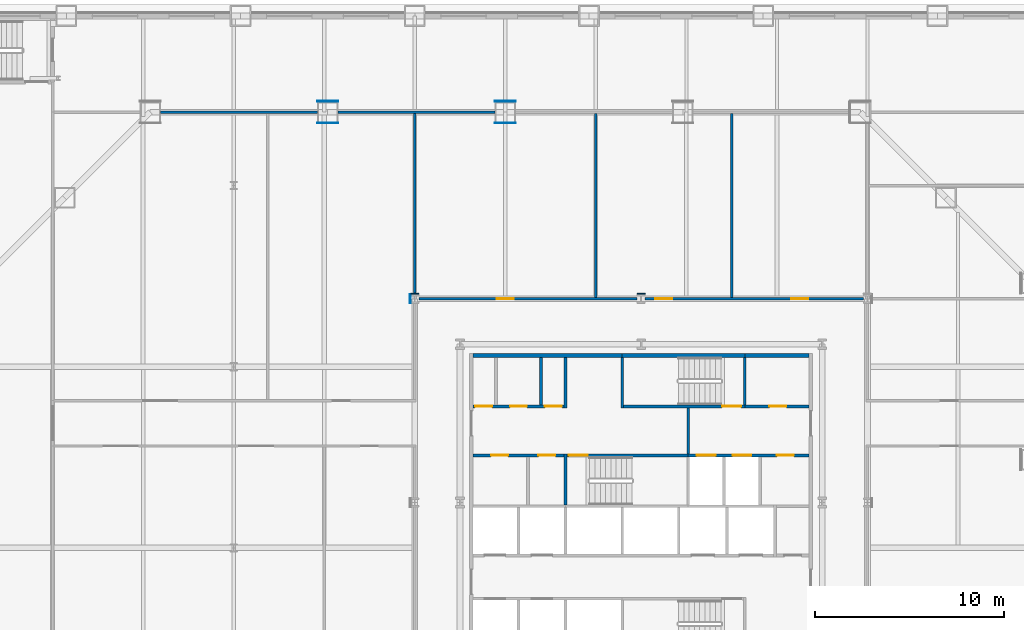
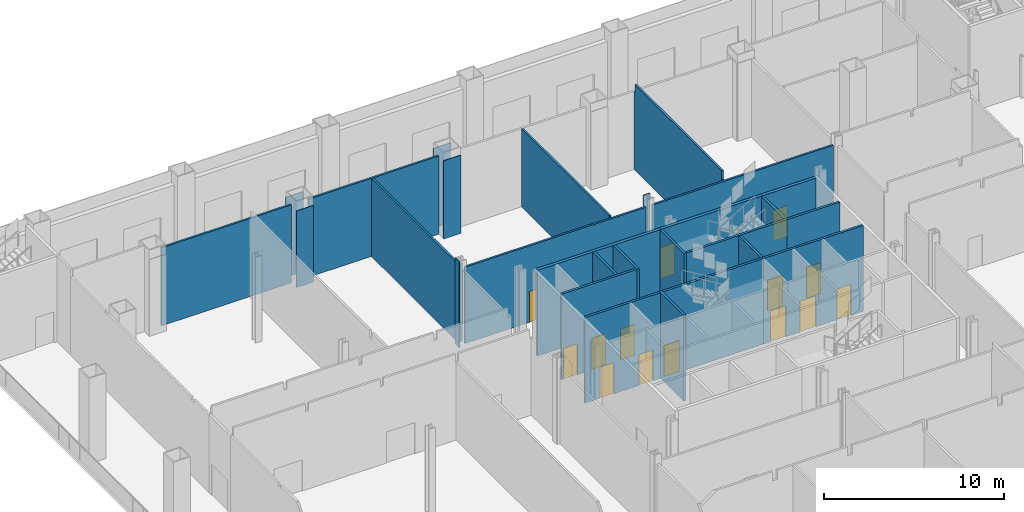
# One storey, part 19 of 31: 29 walls, 14 doors, 14 openings.
"""IFC4 building model written with IfcOpenShell, lengths in metres."""

from ifc_helpers import new_model, si_unit, direction, frame, frame_2d, origin, place, context, subcontext, project, spatial, polyline, rectangle, outline, extrude, material, layer, layer_set, type_object, element, fill, save


model = new_model("IFC4")

# Units and contexts
model_context = context("Model", 3, precision=1e-05, world=origin(), true_north=direction((0.0, 1.0)))
body_context = subcontext(model_context, "Body", "Model", "MODEL_VIEW")
ifc_project = project(units=[si_unit("LENGTHUNIT", "METRE"), si_unit("AREAUNIT", "SQUARE_METRE"), si_unit("VOLUMEUNIT", "CUBIC_METRE"), si_unit("PLANEANGLEUNIT", "RADIAN"), si_unit("MASSUNIT", "GRAM", prefix="KILO")], contexts=[model_context])

# Site, building, storey
site_placement = place(None, origin())
site = spatial("IfcSite", under=ifc_project, at=site_placement, CompositionType="ELEMENT")
building_placement = place(site_placement, origin())
building = spatial("IfcBuilding", under=site, at=building_placement, Name="Cairn Pilgrim Tower", CompositionType="ELEMENT")
storey_placement = place(building_placement, frame((0.0, 0.0, 15.0)))
storey = spatial("IfcBuildingStorey", under=building, at=storey_placement, Name="L02", CompositionType="ELEMENT", Elevation=15.0)

# Walls
ifc_material_1 = material(Name="Concrete C32/40", Category="concrete")
ifc_layer_1 = layer(ifc_material_1, 0.199951171875)
ifc_layer_set_1 = layer_set([ifc_layer_1], Name="CORE OUTER WALL 200 EI 120")
wall_type_1 = type_object("IfcWallType", Name="CORE OUTER WALL 200 EI 120", PredefinedType="SOLIDWALL", material=ifc_layer_set_1)
wall_1_placement = place(storey_placement, frame((-1.699951171875, 10.199951171875, 0.0), z_axis=(0.0, 0.0, 1.0), x_axis=(1.0, 0.0, 0.0)))
element("IfcWall", 1, at=wall_1_placement, inside=storey, type_object=wall_type_1, Name="CW:L02:H11-1", PredefinedType="SOLIDWALL", context=body_context, shape_type="SweptSolid", body=[
    extrude(rectangle(XDim=7.89990234375, YDim=0.199951171875, at=frame_2d((3.949951171875, 0.0))), origin(), (0.0, 0.0, 1.0), 5.800048828125),
])
wall_2_placement = place(storey_placement, frame((12.699951171875, 10.199951171875, 0.0), z_axis=(0.0, 0.0, 1.0), x_axis=(1.0, 0.0, 0.0)))
element("IfcWall", 2, at=wall_2_placement, inside=storey, type_object=wall_type_1, Name="CW:L02:H11-3", PredefinedType="SOLIDWALL", context=body_context, shape_type="SweptSolid", body=[
    extrude(rectangle(XDim=3.400146484375, YDim=0.199951171875, at=frame_2d((1.7001953125, 0.0))), origin(), (0.0, 0.0, 1.0), 5.800048828125),
])

# Wall, openings, doors
ifc_layer_2 = layer(ifc_material_1, 0.14990234375)
ifc_layer_set_2 = layer_set([ifc_layer_2], Name="CORE PARTITION 150 EI 60")
wall_type_2 = type_object("IfcWallType", Name="CORE PARTITION 150 EI 60", PredefinedType="PARTITIONING", material=ifc_layer_set_2)
wall_3_placement = place(storey_placement, frame((-1.699951171875, 4.89990234375, 0.0), z_axis=(0.0, 0.0, 1.0), x_axis=(1.0, 0.0, 0.0)))
wall_3 = element("IfcWall", 3, at=wall_3_placement, inside=storey, type_object=wall_type_2, Name="CW:L02:H07", PredefinedType="PARTITIONING", context=body_context, shape_type="SweptSolid", body=[
    extrude(rectangle(XDim=4.824951171875, YDim=0.14990234375, at=frame_2d((2.41259765625, 0.0))), origin(), (0.0, 0.0, 1.0), 5.800048828125),
])
opening_1_placement = place(wall_3_placement, frame((0.949951171875, 0.0, 0.0)))
opening_1 = element("IfcOpeningElement", 4, at=opening_1_placement, cuts=wall_3, Name="Opening RD-R3W1", PredefinedType="OPENING", context=body_context, shape_type="SweptSolid", body=[
    extrude(rectangle(XDim=0.89990234375, YDim=2.10009765625, at=frame_2d((0.449951171875, 1.050048828125))), frame((0.0, 0.0849609375, 0.0), z_axis=(0.0, -1.0, 0.0), x_axis=(1.0, 0.0, 0.0)), (0.0, 0.0, 1.0), 0.169921875),
])
opening_2_placement = place(wall_3_placement, frame((3.449951171875, 0.0, 0.0)))
opening_2 = element("IfcOpeningElement", 5, at=opening_2_placement, cuts=wall_3, Name="Opening RD-R3W2", PredefinedType="OPENING", context=body_context, shape_type="SweptSolid", body=[
    extrude(rectangle(XDim=0.89990234375, YDim=2.10009765625, at=frame_2d((0.449951171875, 1.050048828125))), frame((0.0, 0.0849609375, 0.0), z_axis=(0.0, -1.0, 0.0), x_axis=(1.0, 0.0, 0.0)), (0.0, 0.0, 1.0), 0.169921875),
])
ifc_material_2 = material(Name="Painted steel", Category="steel")
door_type_1 = type_object("IfcDoorType", Name="SERVICE ROOM DOOR 900x2100", OperationType="SINGLE_SWING_LEFT", PredefinedType="DOOR", material=ifc_material_2)
door_1_placement = place(opening_1_placement, origin())
door_1 = element("IfcDoor", 6, at=door_1_placement, inside=storey, type_object=door_type_1, Name="RD-R3W1", OperationType="SINGLE_SWING_RIGHT", OverallHeight=2.10009765625, OverallWidth=0.89990234375, PredefinedType="DOOR", context=body_context, shape_type="SweptSolid", body=[
    extrude(rectangle(XDim=0.89990234375, YDim=2.10009765625, at=frame_2d((0.449951171875, 1.050048828125))), frame((0.0, 0.02490234375, 0.0), z_axis=(0.0, -1.0, 0.0), x_axis=(1.0, 0.0, 0.0)), (0.0, 0.0, 1.0), 0.050048828125),
])
fill(opening_1, door_1)
door_2_placement = place(opening_2_placement, origin())
door_2 = element("IfcDoor", 7, at=door_2_placement, inside=storey, type_object=door_type_1, Name="RD-R3W2", OperationType="SINGLE_SWING_LEFT", OverallHeight=2.10009765625, OverallWidth=0.89990234375, PredefinedType="DOOR", context=body_context, shape_type="SweptSolid", body=[
    extrude(rectangle(XDim=0.89990234375, YDim=2.10009765625, at=frame_2d((0.449951171875, 1.050048828125))), frame((0.0, 0.02490234375, 0.0), z_axis=(0.0, -1.0, 0.0), x_axis=(1.0, 0.0, 0.0)), (0.0, 0.0, 1.0), 0.050048828125),
])
fill(opening_2, door_2)

wall_4_placement = place(storey_placement, frame((-1.699951171875, 7.5, 0.0), z_axis=(0.0, 0.0, 1.0), x_axis=(1.0, 0.0, 0.0)))
wall_4 = element("IfcWall", 8, at=wall_4_placement, inside=storey, type_object=wall_type_2, Name="CW:L02:H09", PredefinedType="PARTITIONING", context=body_context, shape_type="SweptSolid", body=[
    extrude(rectangle(XDim=4.824951171875, YDim=0.14990234375, at=frame_2d((2.41259765625, 0.0))), origin(), (0.0, 0.0, 1.0), 5.800048828125),
])
opening_3_placement = place(wall_4_placement, frame((0.10009765625, 0.0, 0.0)))
opening_3 = element("IfcOpeningElement", 9, at=opening_3_placement, cuts=wall_4, Name="Opening RD-R4W1", PredefinedType="OPENING", context=body_context, shape_type="SweptSolid", body=[
    extrude(rectangle(XDim=0.89990234375, YDim=2.10009765625, at=frame_2d((0.449951171875, 1.050048828125))), frame((0.0, 0.0849609375, 0.0), z_axis=(0.0, -1.0, 0.0), x_axis=(1.0, 0.0, 0.0)), (0.0, 0.0, 1.0), 0.169921875),
])
opening_4_placement = place(wall_4_placement, frame((1.949951171875, 0.0, 0.0)))
opening_4 = element("IfcOpeningElement", 10, at=opening_4_placement, cuts=wall_4, Name="Opening RD-R4W2", PredefinedType="OPENING", context=body_context, shape_type="SweptSolid", body=[
    extrude(rectangle(XDim=0.89990234375, YDim=2.10009765625, at=frame_2d((0.449951171875, 1.050048828125))), frame((0.0, 0.0849609375, 0.0), z_axis=(0.0, -1.0, 0.0), x_axis=(1.0, 0.0, 0.0)), (0.0, 0.0, 1.0), 0.169921875),
])
opening_5_placement = place(wall_4_placement, frame((3.800048828125, 0.0, 0.0)))
opening_5 = element("IfcOpeningElement", 11, at=opening_5_placement, cuts=wall_4, Name="Opening RD-R4W3", PredefinedType="OPENING", context=body_context, shape_type="SweptSolid", body=[
    extrude(rectangle(XDim=0.89990234375, YDim=2.10009765625, at=frame_2d((0.449951171875, 1.050048828125))), frame((0.0, 0.0849609375, 0.0), z_axis=(0.0, -1.0, 0.0), x_axis=(1.0, 0.0, 0.0)), (0.0, 0.0, 1.0), 0.169921875),
])
door_3_placement = place(opening_3_placement, origin())
door_3 = element("IfcDoor", 12, at=door_3_placement, inside=storey, type_object=door_type_1, Name="RD-R4W1", OperationType="SINGLE_SWING_RIGHT", OverallHeight=2.10009765625, OverallWidth=0.89990234375, PredefinedType="DOOR", context=body_context, shape_type="SweptSolid", body=[
    extrude(rectangle(XDim=0.89990234375, YDim=2.10009765625, at=frame_2d((0.449951171875, 1.050048828125))), frame((0.0, 0.02490234375, 0.0), z_axis=(0.0, -1.0, 0.0), x_axis=(1.0, 0.0, 0.0)), (0.0, 0.0, 1.0), 0.050048828125),
])
fill(opening_3, door_3)
door_4_placement = place(opening_4_placement, origin())
door_4 = element("IfcDoor", 13, at=door_4_placement, inside=storey, type_object=door_type_1, Name="RD-R4W2", OperationType="SINGLE_SWING_LEFT", OverallHeight=2.10009765625, OverallWidth=0.89990234375, PredefinedType="DOOR", context=body_context, shape_type="SweptSolid", body=[
    extrude(rectangle(XDim=0.89990234375, YDim=2.10009765625, at=frame_2d((0.449951171875, 1.050048828125))), frame((0.0, 0.02490234375, 0.0), z_axis=(0.0, -1.0, 0.0), x_axis=(1.0, 0.0, 0.0)), (0.0, 0.0, 1.0), 0.050048828125),
])
fill(opening_4, door_4)
door_5_placement = place(opening_5_placement, origin())
door_5 = element("IfcDoor", 14, at=door_5_placement, inside=storey, type_object=door_type_1, Name="RD-R4W3", OperationType="SINGLE_SWING_RIGHT", OverallHeight=2.10009765625, OverallWidth=0.89990234375, PredefinedType="DOOR", context=body_context, shape_type="SweptSolid", body=[
    extrude(rectangle(XDim=0.89990234375, YDim=2.10009765625, at=frame_2d((0.449951171875, 1.050048828125))), frame((0.0, 0.02490234375, 0.0), z_axis=(0.0, -1.0, 0.0), x_axis=(1.0, 0.0, 0.0)), (0.0, 0.0, 1.0), 0.050048828125),
])
fill(opening_5, door_5)

# Walls
wall_5_placement = place(storey_placement, frame((1.89990234375, 7.574951171875, 0.0), z_axis=(0.0, 0.0, 1.0), x_axis=(0.0, 1.0, 0.0)))
element("IfcWall", 15, at=wall_5_placement, inside=storey, type_object=wall_type_2, Name="CW:L02:V17", PredefinedType="PARTITIONING", context=body_context, shape_type="SweptSolid", body=[
    extrude(rectangle(XDim=2.525146484375, YDim=0.14990234375, at=frame_2d((1.2626953125, 0.0))), origin(), (0.0, 0.0, 1.0), 5.800048828125),
])
wall_6_placement = place(storey_placement, frame((3.199951171875, 7.425048828125, 0.0), z_axis=(0.0, 0.0, 1.0), x_axis=(0.0, 1.0, 0.0)))
element("IfcWall", 16, at=wall_6_placement, inside=storey, type_object=wall_type_2, Name="CW:L02:V21", PredefinedType="PARTITIONING", context=body_context, shape_type="SweptSolid", body=[
    extrude(rectangle(XDim=2.675048828125, YDim=0.14990234375, at=frame_2d((1.33740234375, 0.0))), origin(), (0.0, 0.0, 1.0), 5.800048828125),
])

# Wall, openings, doors
ifc_layer_3 = layer(ifc_material_1, 0.14990234375)
ifc_layer_set_3 = layer_set([ifc_layer_3], Name="CORE SHAFT WALL 150 EI 120")
wall_type_3 = type_object("IfcWallType", Name="CORE SHAFT WALL 150 EI 120", PredefinedType="SOLIDWALL", material=ifc_layer_set_3)
wall_7_placement = place(storey_placement, frame((9.699951171875, 4.89990234375, 0.0), z_axis=(0.0, 0.0, 1.0), x_axis=(1.0, 0.0, 0.0)))
wall_7 = element("IfcWall", 17, at=wall_7_placement, inside=storey, type_object=wall_type_3, Name="CW:L02:H08-2", PredefinedType="SOLIDWALL", context=body_context, shape_type="SweptSolid", body=[
    extrude(rectangle(XDim=6.400146484375, YDim=0.14990234375, at=frame_2d((3.2001953125, 0.0))), origin(), (0.0, 0.0, 1.0), 5.800048828125),
])
opening_6_placement = place(wall_7_placement, frame((0.449951171875, 0.0, 0.0)))
opening_6 = element("IfcOpeningElement", 18, at=opening_6_placement, cuts=wall_7, Name="Opening LD-FF1", PredefinedType="OPENING", context=body_context, shape_type="SweptSolid", body=[
    extrude(rectangle(XDim=1.0, YDim=2.10009765625, at=frame_2d((0.5, 1.050048828125))), frame((0.0, 0.0849609375, 0.0), z_axis=(0.0, -1.0, 0.0), x_axis=(1.0, 0.0, 0.0)), (0.0, 0.0, 1.0), 0.169921875),
])
opening_7_placement = place(wall_7_placement, frame((2.35009765625, 0.0, 0.0)))
opening_7 = element("IfcOpeningElement", 19, at=opening_7_placement, cuts=wall_7, Name="Opening LD-FF2", PredefinedType="OPENING", context=body_context, shape_type="SweptSolid", body=[
    extrude(rectangle(XDim=1.0, YDim=2.10009765625, at=frame_2d((0.5, 1.050048828125))), frame((0.0, 0.0849609375, 0.0), z_axis=(0.0, -1.0, 0.0), x_axis=(1.0, 0.0, 0.0)), (0.0, 0.0, 1.0), 0.169921875),
])
opening_8_placement = place(wall_7_placement, frame((4.699951171875, 0.0, 0.0)))
opening_8 = element("IfcOpeningElement", 20, at=opening_8_placement, cuts=wall_7, Name="Opening RD-R3E", PredefinedType="OPENING", context=body_context, shape_type="SweptSolid", body=[
    extrude(rectangle(XDim=0.89990234375, YDim=2.10009765625, at=frame_2d((0.449951171875, 1.050048828125))), frame((0.0, 0.0849609375, 0.0), z_axis=(0.0, -1.0, 0.0), x_axis=(1.0, 0.0, 0.0)), (0.0, 0.0, 1.0), 0.169921875),
])
ifc_material_3 = material(Name="Stainless steel", Category="steel")
door_type_2 = type_object("IfcDoorType", Name="LIFT LANDING DOOR FIRE 1000x2100", OperationType="DOUBLE_DOOR_SLIDING", PredefinedType="DOOR", material=ifc_material_3)
door_6_placement = place(opening_6_placement, origin())
door_6 = element("IfcDoor", 21, at=door_6_placement, inside=storey, type_object=door_type_2, Name="LANDING DOOR FF1", OperationType="DOUBLE_DOOR_SLIDING", OverallHeight=2.10009765625, OverallWidth=1.0, PredefinedType="DOOR", context=body_context, shape_type="SweptSolid", body=[
    extrude(rectangle(XDim=1.0, YDim=2.10009765625, at=frame_2d((0.5, 1.050048828125))), frame((0.0, 0.02490234375, 0.0), z_axis=(0.0, -1.0, 0.0), x_axis=(1.0, 0.0, 0.0)), (0.0, 0.0, 1.0), 0.050048828125),
])
fill(opening_6, door_6)
door_7_placement = place(opening_7_placement, origin())
door_7 = element("IfcDoor", 22, at=door_7_placement, inside=storey, type_object=door_type_2, Name="LANDING DOOR FF2", OperationType="DOUBLE_DOOR_SLIDING", OverallHeight=2.10009765625, OverallWidth=1.0, PredefinedType="DOOR", context=body_context, shape_type="SweptSolid", body=[
    extrude(rectangle(XDim=1.0, YDim=2.10009765625, at=frame_2d((0.5, 1.050048828125))), frame((0.0, 0.02490234375, 0.0), z_axis=(0.0, -1.0, 0.0), x_axis=(1.0, 0.0, 0.0)), (0.0, 0.0, 1.0), 0.050048828125),
])
fill(opening_7, door_7)
door_8_placement = place(opening_8_placement, origin())
door_8 = element("IfcDoor", 23, at=door_8_placement, inside=storey, type_object=door_type_1, Name="RD-R3E", OperationType="SINGLE_SWING_RIGHT", OverallHeight=2.10009765625, OverallWidth=0.89990234375, PredefinedType="DOOR", context=body_context, shape_type="SweptSolid", body=[
    extrude(rectangle(XDim=0.89990234375, YDim=2.10009765625, at=frame_2d((0.449951171875, 1.050048828125))), frame((0.0, 0.02490234375, 0.0), z_axis=(0.0, -1.0, 0.0), x_axis=(1.0, 0.0, 0.0)), (0.0, 0.0, 1.0), 0.050048828125),
])
fill(opening_8, door_8)

# Wall, opening, door
wall_8_placement = place(storey_placement, frame((12.699951171875, 7.5, 0.0), z_axis=(0.0, 0.0, 1.0), x_axis=(1.0, 0.0, 0.0)))
wall_8 = element("IfcWall", 24, at=wall_8_placement, inside=storey, type_object=wall_type_3, Name="CW:L02:H10-2", PredefinedType="SOLIDWALL", context=body_context, shape_type="SweptSolid", body=[
    extrude(rectangle(XDim=3.400146484375, YDim=0.14990234375, at=frame_2d((1.7001953125, 0.0))), origin(), (0.0, 0.0, 1.0), 5.800048828125),
])
opening_9_placement = place(wall_8_placement, frame((1.300048828125, 0.0, 0.0)))
opening_9 = element("IfcOpeningElement", 25, at=opening_9_placement, cuts=wall_8, Name="Opening RD-R4E", PredefinedType="OPENING", context=body_context, shape_type="SweptSolid", body=[
    extrude(rectangle(XDim=0.89990234375, YDim=2.10009765625, at=frame_2d((0.449951171875, 1.050048828125))), frame((0.0, 0.0849609375, 0.0), z_axis=(0.0, -1.0, 0.0), x_axis=(1.0, 0.0, 0.0)), (0.0, 0.0, 1.0), 0.169921875),
])
door_9_placement = place(opening_9_placement, origin())
door_9 = element("IfcDoor", 26, at=door_9_placement, inside=storey, type_object=door_type_1, Name="RD-R4E", OperationType="SINGLE_SWING_LEFT", OverallHeight=2.10009765625, OverallWidth=0.89990234375, PredefinedType="DOOR", context=body_context, shape_type="SweptSolid", body=[
    extrude(rectangle(XDim=0.89990234375, YDim=2.10009765625, at=frame_2d((0.449951171875, 1.050048828125))), frame((0.0, 0.02490234375, 0.0), z_axis=(0.0, -1.0, 0.0), x_axis=(1.0, 0.0, 0.0)), (0.0, 0.0, 1.0), 0.050048828125),
])
fill(opening_9, door_9)

# Wall
wall_9_placement = place(storey_placement, frame((9.699951171875, 4.97509765625, 0.0), z_axis=(0.0, 0.0, 1.0), x_axis=(0.0, 1.0, 0.0)))
element("IfcWall", 27, at=wall_9_placement, inside=storey, type_object=wall_type_3, Name="CW:L02:V27", PredefinedType="SOLIDWALL", context=body_context, shape_type="SweptSolid", body=[
    extrude(rectangle(XDim=2.449951171875, YDim=0.14990234375, at=frame_2d((1.22509765625, 0.0))), origin(), (0.0, 0.0, 1.0), 5.800048828125),
])

# Wall, opening, door
ifc_material_4 = material(Name="Gypsum partition")
ifc_layer_4 = layer(ifc_material_4, 0.125)
ifc_layer_set_4 = layer_set([ifc_layer_4], Name="PARTITION 125 DRYWALL EI 60")
wall_type_4 = type_object("IfcWallType", Name="PARTITION 125 DRYWALL EI 60", PredefinedType="PARTITIONING", material=ifc_layer_set_4)
wall_10_placement = place(storey_placement, frame((-4.587890625, 13.199951171875, 0.0), z_axis=(0.0, 0.0, 1.0), x_axis=(1.0, 0.0, 0.0)))
wall_10 = element("IfcWall", 28, at=wall_10_placement, inside=storey, type_object=wall_type_4, Name="PARTITION W053", PredefinedType="PARTITIONING", context=body_context, shape_type="SweptSolid", body=[
    extrude(rectangle(XDim=11.575927734375, YDim=0.125, at=frame_2d((5.7880859375, 0.0))), origin(), (0.0, 0.0, 1.0), 5.179931640625),
])
opening_10_placement = place(wall_10_placement, frame((4.137939453125, 0.0, 0.0)))
opening_10 = element("IfcOpeningElement", 29, at=opening_10_placement, cuts=wall_10, Name="Opening 0206", PredefinedType="OPENING", context=body_context, shape_type="SweptSolid", body=[
    extrude(rectangle(XDim=0.89990234375, YDim=2.10009765625, at=frame_2d((0.449951171875, 1.050048828125))), frame((0.0, 0.072509765625, 0.0), z_axis=(0.0, -1.0, 0.0), x_axis=(1.0, 0.0, 0.0)), (0.0, 0.0, 1.0), 0.14501953125),
])
ifc_material_5 = material(Name="Timber door leaf", Category="wood")
door_type_3 = type_object("IfcDoorType", Name="ROOM DOOR 900x2100 FD30S", OperationType="NOTDEFINED", PredefinedType="DOOR", material=ifc_material_5)
door_10_placement = place(opening_10_placement, frame((0.89990234375, 0.0, 0.0), z_axis=(0.0, 0.0, 1.0), x_axis=(-1.0, 0.0, 0.0)))
door_10 = element("IfcDoor", 30, at=door_10_placement, inside=storey, type_object=door_type_3, Name="DOOR 0206", OperationType="SINGLE_SWING_RIGHT", OverallHeight=2.10009765625, OverallWidth=0.89990234375, PredefinedType="DOOR", context=body_context, shape_type="SweptSolid", body=[
    extrude(rectangle(XDim=0.89990234375, YDim=2.10009765625, at=frame_2d((0.449951171875, 1.050048828125))), frame((0.0, 0.02490234375, 0.0), z_axis=(0.0, -1.0, 0.0), x_axis=(1.0, 0.0, 0.0)), (0.0, 0.0, 1.0), 0.050048828125),
])
fill(opening_10, door_10)

# Wall, openings, doors
wall_11_placement = place(storey_placement, frame((7.412109375, 13.199951171875, 0.0), z_axis=(0.0, 0.0, 1.0), x_axis=(1.0, 0.0, 0.0)))
wall_11 = element("IfcWall", 31, at=wall_11_placement, inside=storey, type_object=wall_type_4, Name="PARTITION W054", PredefinedType="PARTITIONING", context=body_context, shape_type="SweptSolid", body=[
    extrude(rectangle(XDim=11.575927734375, YDim=0.125, at=frame_2d((5.7880859375, 0.0))), origin(), (0.0, 0.0, 1.0), 5.179931640625),
])
opening_11_placement = place(wall_11_placement, frame((0.5380859375, 0.0, 0.0)))
opening_11 = element("IfcOpeningElement", 32, at=opening_11_placement, cuts=wall_11, Name="Opening 0207", PredefinedType="OPENING", context=body_context, shape_type="SweptSolid", body=[
    extrude(rectangle(XDim=0.89990234375, YDim=2.10009765625, at=frame_2d((0.449951171875, 1.050048828125))), frame((0.0, 0.072509765625, 0.0), z_axis=(0.0, -1.0, 0.0), x_axis=(1.0, 0.0, 0.0)), (0.0, 0.0, 1.0), 0.14501953125),
])
opening_12_placement = place(wall_11_placement, frame((7.738037109375, 0.0, 0.0)))
opening_12 = element("IfcOpeningElement", 33, at=opening_12_placement, cuts=wall_11, Name="Opening 0208", PredefinedType="OPENING", context=body_context, shape_type="SweptSolid", body=[
    extrude(rectangle(XDim=0.89990234375, YDim=2.10009765625, at=frame_2d((0.449951171875, 1.050048828125))), frame((0.0, 0.072509765625, 0.0), z_axis=(0.0, -1.0, 0.0), x_axis=(1.0, 0.0, 0.0)), (0.0, 0.0, 1.0), 0.14501953125),
])
door_11_placement = place(opening_11_placement, frame((0.89990234375, 0.0, 0.0), z_axis=(0.0, 0.0, 1.0), x_axis=(-1.0, 0.0, 0.0)))
door_11 = element("IfcDoor", 34, at=door_11_placement, inside=storey, type_object=door_type_3, Name="DOOR 0207", OperationType="SINGLE_SWING_LEFT", OverallHeight=2.10009765625, OverallWidth=0.89990234375, PredefinedType="DOOR", context=body_context, shape_type="SweptSolid", body=[
    extrude(rectangle(XDim=0.89990234375, YDim=2.10009765625, at=frame_2d((0.449951171875, 1.050048828125))), frame((0.0, 0.02490234375, 0.0), z_axis=(0.0, -1.0, 0.0), x_axis=(1.0, 0.0, 0.0)), (0.0, 0.0, 1.0), 0.050048828125),
])
fill(opening_11, door_11)
door_12_placement = place(opening_12_placement, frame((0.89990234375, 0.0, 0.0), z_axis=(0.0, 0.0, 1.0), x_axis=(-1.0, 0.0, 0.0)))
door_12 = element("IfcDoor", 35, at=door_12_placement, inside=storey, type_object=door_type_3, Name="DOOR 0208", OperationType="SINGLE_SWING_LEFT", OverallHeight=2.10009765625, OverallWidth=0.89990234375, PredefinedType="DOOR", context=body_context, shape_type="SweptSolid", body=[
    extrude(rectangle(XDim=0.89990234375, YDim=2.10009765625, at=frame_2d((0.449951171875, 1.050048828125))), frame((0.0, 0.02490234375, 0.0), z_axis=(0.0, -1.0, 0.0), x_axis=(1.0, 0.0, 0.0)), (0.0, 0.0, 1.0), 0.050048828125),
])
fill(opening_12, door_12)

# Walls
wall_12_placement = place(storey_placement, frame((4.800048828125, 13.262451171875, 0.0), z_axis=(0.0, 0.0, 1.0), x_axis=(0.0, 1.0, 0.0)))
element("IfcWall", 36, at=wall_12_placement, inside=storey, type_object=wall_type_4, Name="PARTITION W056", PredefinedType="PARTITIONING", context=body_context, shape_type="SweptSolid", body=[
    extrude(outline(polyline([(0.0, 0.0), (9.775146484375, 0.0), (9.77490234375, 5.280029296875), (0.08740234375, 5.280029296875), (0.08544921875, 5.179931640625), (0.0, 5.179931640625), (0.0, 0.0)])), frame((0.0, 0.0625, 0.0), z_axis=(0.0, -1.0, 0.0), x_axis=(1.0, 0.0, 0.0)), (0.0, 0.0, 1.0), 0.125),
])
wall_13_placement = place(storey_placement, frame((12.0, 13.262451171875, 0.0), z_axis=(0.0, 0.0, 1.0), x_axis=(0.0, 1.0, 0.0)))
element("IfcWall", 37, at=wall_13_placement, inside=storey, type_object=wall_type_4, Name="PARTITION W057", PredefinedType="PARTITIONING", context=body_context, shape_type="SweptSolid", body=[
    extrude(outline(polyline([(0.0, 0.0), (9.775146484375, 0.0), (9.77490234375, 5.280029296875), (9.6875, 5.280029296875), (9.685546875, 5.800048828125), (0.08740234375, 5.800048828125), (0.08544921875, 5.179931640625), (0.0, 5.179931640625), (0.0, 0.0)])), frame((0.0, 0.0625, 0.0), z_axis=(0.0, -1.0, 0.0), x_axis=(1.0, 0.0, 0.0)), (0.0, 0.0, 1.0), 0.125),
])
wall_14_placement = place(storey_placement, frame((-4.800048828125, 13.43701171875, 0.0), z_axis=(0.0, 0.0, 1.0), x_axis=(0.0, 1.0, 0.0)))
element("IfcWall", 38, at=wall_14_placement, inside=storey, type_object=wall_type_4, Name="PARTITION W058", PredefinedType="PARTITIONING", context=body_context, shape_type="SweptSolid", body=[
    extrude(rectangle(XDim=9.6005859375, YDim=0.125, at=frame_2d((4.80029296875, 0.0))), origin(), (0.0, 0.0, 1.0), 5.280029296875),
])
for number, where, z_axis, x_axis, name in (
    (39, (-18.277099609375, 23.10009765625, 0.0), (0.0, 0.0, 1.0), (1.0, 0.0, 0.0), "PARTITION W067"),
    (40, (-8.863525390625, 23.10009765625, 0.0), (0.0, 0.0, 1.0), (1.0, 0.0, 0.0), "PARTITION W068"),
):
    element("IfcWall", number, at=place(storey_placement, frame(where, z_axis=z_axis, x_axis=x_axis)), inside=storey, type_object=wall_type_4, Name=name, PredefinedType="PARTITIONING", context=body_context, shape_type="SweptSolid", body=[
        extrude(rectangle(XDim=8.3134765625, YDim=0.125, at=frame_2d((4.15673828125, 0.0))), origin(), (0.0, 0.0, 1.0), 5.280029296875),
    ])
ifc_layer_5 = layer(ifc_material_4, 0.050048828125)
ifc_layer_set_5 = layer_set([ifc_layer_5], Name="PARTITION 50 DRYWALL EI 60")
wall_type_5 = type_object("IfcWallType", Name="PARTITION 50 DRYWALL EI 60", PredefinedType="PARTITIONING", material=ifc_layer_set_5)
wall_15_placement = place(storey_placement, frame((-5.037109375, 12.962890625, 0.0), z_axis=(0.0, 0.0, 1.0), x_axis=(0.0, 1.0, 0.0)))
element("IfcWall", 41, at=wall_15_placement, inside=storey, type_object=wall_type_5, Name="COLUMN CASING WC28", PredefinedType="PARTITIONING", context=body_context, shape_type="SweptSolid", body=[
    extrude(rectangle(XDim=0.47412109375, YDim=0.050048828125, at=frame_2d((0.237060546875, 0.0))), origin(), (0.0, 0.0, 1.0), 5.800048828125),
])
wall_16_placement = place(storey_placement, frame((-5.011962890625, 13.4619140625, 0.0), z_axis=(0.0, 0.0, 1.0), x_axis=(1.0, 0.0, 0.0)))
element("IfcWall", 42, at=wall_16_placement, inside=storey, type_object=wall_type_5, Name="COLUMN CASING WC32", PredefinedType="PARTITIONING", context=body_context, shape_type="SweptSolid", body=[
    extrude(rectangle(XDim=0.424072265625, YDim=0.050048828125, at=frame_2d((0.2119140625, 0.0))), origin(), (0.0, 0.0, 1.0), 5.280029296875),
])
wall_17_placement = place(storey_placement, frame((6.988037109375, 13.4619140625, 0.0), z_axis=(0.0, 0.0, 1.0), x_axis=(1.0, 0.0, 0.0)))
element("IfcWall", 43, at=wall_17_placement, inside=storey, type_object=wall_type_5, Name="COLUMN CASING WC33", PredefinedType="PARTITIONING", context=body_context, shape_type="SweptSolid", body=[
    extrude(rectangle(XDim=0.424072265625, YDim=0.050048828125, at=frame_2d((0.2119140625, 0.0))), origin(), (0.0, 0.0, 1.0), 5.800048828125),
])
wall_18_placement = place(storey_placement, frame((-9.963623046875, 22.52490234375, 0.0), z_axis=(0.0, 0.0, 1.0), x_axis=(1.0, 0.0, 0.0)))
element("IfcWall", 44, at=wall_18_placement, inside=storey, type_object=wall_type_5, Name="COLUMN CASING WC38", PredefinedType="PARTITIONING", context=body_context, shape_type="SweptSolid", body=[
    extrude(rectangle(XDim=1.10009765625, YDim=0.050048828125, at=frame_2d((0.550048828125, 0.0))), origin(), (0.0, 0.0, 1.0), 5.179931640625),
])
wall_19_placement = place(storey_placement, frame((-9.963623046875, 23.675048828125, 0.0), z_axis=(0.0, 0.0, 1.0), x_axis=(1.0, 0.0, 0.0)))
element("IfcWall", 45, at=wall_19_placement, inside=storey, type_object=wall_type_5, Name="COLUMN CASING WC39", PredefinedType="PARTITIONING", context=body_context, shape_type="SweptSolid", body=[
    extrude(rectangle(XDim=1.10009765625, YDim=0.050048828125, at=frame_2d((0.550048828125, 0.0))), origin(), (0.0, 0.0, 1.0), 5.419921875),
])
wall_20_placement = place(storey_placement, frame((-0.550048828125, 22.52490234375, 0.0), z_axis=(0.0, 0.0, 1.0), x_axis=(1.0, 0.0, 0.0)))
element("IfcWall", 46, at=wall_20_placement, inside=storey, type_object=wall_type_5, Name="COLUMN CASING WC40", PredefinedType="PARTITIONING", context=body_context, shape_type="SweptSolid", body=[
    extrude(rectangle(XDim=1.10009765625, YDim=0.050048828125, at=frame_2d((0.550048828125, 0.0))), origin(), (0.0, 0.0, 1.0), 5.280029296875),
])
wall_21_placement = place(storey_placement, frame((-0.550048828125, 23.675048828125, 0.0), z_axis=(0.0, 0.0, 1.0), x_axis=(1.0, 0.0, 0.0)))
element("IfcWall", 47, at=wall_21_placement, inside=storey, type_object=wall_type_5, Name="COLUMN CASING WC41", PredefinedType="PARTITIONING", context=body_context, shape_type="SweptSolid", body=[
    extrude(rectangle(XDim=1.10009765625, YDim=0.050048828125, at=frame_2d((0.550048828125, 0.0))), origin(), (0.0, 0.0, 1.0), 5.419921875),
])

# Wall, opening, door
ifc_material_6 = material(Name="Concrete C35/45", Category="concrete")
ifc_layer_6 = layer(ifc_material_6, 0.14990234375)
ifc_layer_set_6 = layer_set([ifc_layer_6], Name="STAIR SHAFT WALL 150 EI 120")
wall_type_6 = type_object("IfcWallType", Name="STAIR SHAFT WALL 150 EI 120", PredefinedType="SOLIDWALL", material=ifc_layer_set_6)
wall_22_placement = place(storey_placement, frame((3.27490234375, 4.89990234375, 0.0), z_axis=(0.0, 0.0, 1.0), x_axis=(1.0, 0.0, 0.0)))
wall_22 = element("IfcWall", 48, at=wall_22_placement, inside=storey, type_object=wall_type_6, Name="CW:L02:H08-1", PredefinedType="SOLIDWALL", context=body_context, shape_type="SweptSolid", body=[
    extrude(rectangle(XDim=6.425048828125, YDim=0.14990234375, at=frame_2d((3.21240234375, 0.0))), origin(), (0.0, 0.0, 1.0), 5.800048828125),
])
opening_13_placement = place(wall_22_placement, frame((0.10009765625, 0.0, 0.0)))
opening_13 = element("IfcOpeningElement", 49, at=opening_13_placement, cuts=wall_22, Name="Opening SD-B", PredefinedType="OPENING", context=body_context, shape_type="SweptSolid", body=[
    extrude(rectangle(XDim=1.0, YDim=2.10009765625, at=frame_2d((0.5, 1.050048828125))), frame((0.0, 0.0849609375, 0.0), z_axis=(0.0, -1.0, 0.0), x_axis=(1.0, 0.0, 0.0)), (0.0, 0.0, 1.0), 0.169921875),
])
door_type_4 = type_object("IfcDoorType", Name="STAIR DOOR FD60S 1000x2100", OperationType="SINGLE_SWING_LEFT", PredefinedType="DOOR", material=ifc_material_2)
door_13_placement = place(opening_13_placement, origin())
door_13 = element("IfcDoor", 50, at=door_13_placement, inside=storey, type_object=door_type_4, Name="SD-B", OperationType="SINGLE_SWING_LEFT", OverallHeight=2.10009765625, OverallWidth=1.0, PredefinedType="DOOR", context=body_context, shape_type="SweptSolid", body=[
    extrude(rectangle(XDim=1.0, YDim=2.10009765625, at=frame_2d((0.5, 1.050048828125))), frame((0.0, 0.02490234375, 0.0), z_axis=(0.0, -1.0, 0.0), x_axis=(1.0, 0.0, 0.0)), (0.0, 0.0, 1.0), 0.050048828125),
])
fill(opening_13, door_13)

wall_23_placement = place(storey_placement, frame((6.27490234375, 7.5, 0.0), z_axis=(0.0, 0.0, 1.0), x_axis=(1.0, 0.0, 0.0)))
wall_23 = element("IfcWall", 51, at=wall_23_placement, inside=storey, type_object=wall_type_6, Name="CW:L02:H10-1", PredefinedType="SOLIDWALL", context=body_context, shape_type="SweptSolid", body=[
    extrude(rectangle(XDim=6.425048828125, YDim=0.14990234375, at=frame_2d((3.21240234375, 0.0))), origin(), (0.0, 0.0, 1.0), 5.800048828125),
])
opening_14_placement = place(wall_23_placement, frame((5.22509765625, 0.0, 0.0)))
opening_14 = element("IfcOpeningElement", 52, at=opening_14_placement, cuts=wall_23, Name="Opening SD-C", PredefinedType="OPENING", context=body_context, shape_type="SweptSolid", body=[
    extrude(rectangle(XDim=1.0, YDim=2.10009765625, at=frame_2d((0.5, 1.050048828125))), frame((0.0, 0.0849609375, 0.0), z_axis=(0.0, -1.0, 0.0), x_axis=(1.0, 0.0, 0.0)), (0.0, 0.0, 1.0), 0.169921875),
])
door_14_placement = place(opening_14_placement, origin())
door_14 = element("IfcDoor", 53, at=door_14_placement, inside=storey, type_object=door_type_4, Name="SD-C", OperationType="SINGLE_SWING_RIGHT", OverallHeight=2.10009765625, OverallWidth=1.0, PredefinedType="DOOR", context=body_context, shape_type="SweptSolid", body=[
    extrude(rectangle(XDim=1.0, YDim=2.10009765625, at=frame_2d((0.5, 1.050048828125))), frame((0.0, 0.02490234375, 0.0), z_axis=(0.0, -1.0, 0.0), x_axis=(1.0, 0.0, 0.0)), (0.0, 0.0, 1.0), 0.050048828125),
])
fill(opening_14, door_14)

# Walls
wall_24_placement = place(storey_placement, frame((3.199951171875, 2.27490234375, 0.0), z_axis=(0.0, 0.0, 1.0), x_axis=(0.0, 1.0, 0.0)))
element("IfcWall", 54, at=wall_24_placement, inside=storey, type_object=wall_type_6, Name="CW:L02:V20", PredefinedType="SOLIDWALL", context=body_context, shape_type="SweptSolid", body=[
    extrude(rectangle(XDim=2.7001953125, YDim=0.14990234375, at=frame_2d((1.35009765625, 0.0))), origin(), (0.0, 0.0, 1.0), 5.800048828125),
])
wall_25_placement = place(storey_placement, frame((6.199951171875, 7.425048828125, 0.0), z_axis=(0.0, 0.0, 1.0), x_axis=(0.0, 1.0, 0.0)))
element("IfcWall", 55, at=wall_25_placement, inside=storey, type_object=wall_type_6, Name="CW:L02:V24", PredefinedType="SOLIDWALL", context=body_context, shape_type="SweptSolid", body=[
    extrude(rectangle(XDim=2.675048828125, YDim=0.14990234375, at=frame_2d((1.33740234375, 0.0))), origin(), (0.0, 0.0, 1.0), 5.800048828125),
])
wall_26_placement = place(storey_placement, frame((12.699951171875, 7.574951171875, 0.0), z_axis=(0.0, 0.0, 1.0), x_axis=(0.0, 1.0, 0.0)))
element("IfcWall", 56, at=wall_26_placement, inside=storey, type_object=wall_type_6, Name="CW:L02:V31", PredefinedType="SOLIDWALL", context=body_context, shape_type="SweptSolid", body=[
    extrude(rectangle(XDim=2.525146484375, YDim=0.14990234375, at=frame_2d((1.2626953125, 0.0))), origin(), (0.0, 0.0, 1.0), 5.800048828125),
])
ifc_layer_7 = layer(ifc_material_6, 0.199951171875)
ifc_layer_set_7 = layer_set([ifc_layer_7], Name="STAIR SHAFT WALL 200 EI 120")
wall_type_7 = type_object("IfcWallType", Name="STAIR SHAFT WALL 200 EI 120", PredefinedType="SOLIDWALL", material=ifc_layer_set_7)
wall_27_placement = place(storey_placement, frame((6.199951171875, 10.199951171875, 0.0), z_axis=(0.0, 0.0, 1.0), x_axis=(1.0, 0.0, 0.0)))
element("IfcWall", 57, at=wall_27_placement, inside=storey, type_object=wall_type_7, Name="CW:L02:H11-2", PredefinedType="SOLIDWALL", context=body_context, shape_type="SweptSolid", body=[
    extrude(rectangle(XDim=6.5, YDim=0.199951171875, at=frame_2d((3.25, 0.0))), origin(), (0.0, 0.0, 1.0), 5.800048828125),
])

save(model, "model.ifc")
